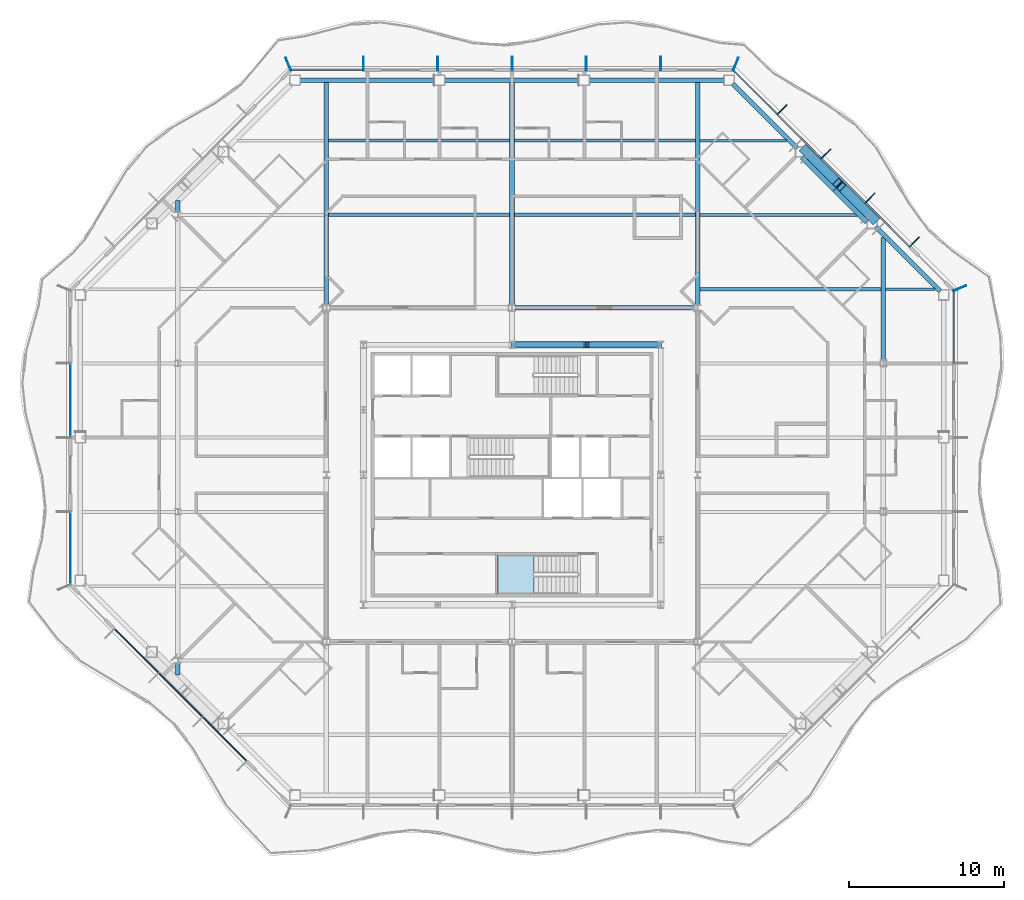
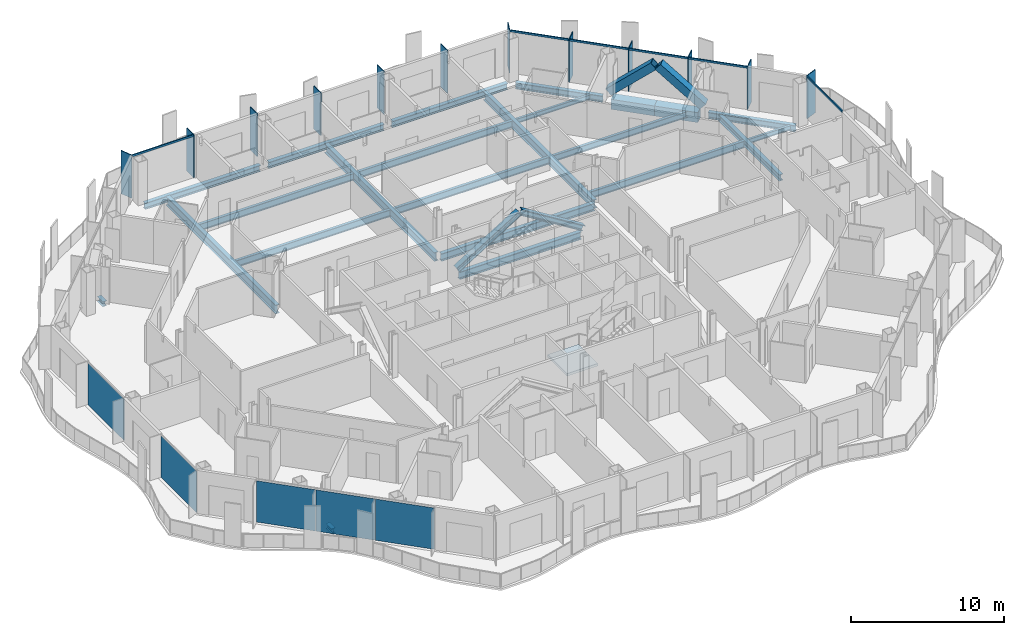
# One storey, part 5 of 21: 23 beams, 22 members, 5 plates, 1 slab, 7 elements without a shape of their own.
"""IFC4 building model written with IfcOpenShell, lengths in metres."""

from ifc_helpers import new_model, si_unit, direction, frame, origin, origin_2d, place, context, subcontext, project, spatial, polyline, rectangle, hollow_rectangle, i_section, outline, extrude, material, layer, layer_set, material_profile, profile_set, type_object, element, aggregate, save


model = new_model("IFC4")

# Units and contexts
model_context = context("Model", 3, precision=1e-05, world=origin(), true_north=direction((0.0, 1.0)))
body_context = subcontext(model_context, "Body", "Model", "MODEL_VIEW")
ifc_project = project(units=[si_unit("LENGTHUNIT", "METRE"), si_unit("AREAUNIT", "SQUARE_METRE"), si_unit("VOLUMEUNIT", "CUBIC_METRE"), si_unit("PLANEANGLEUNIT", "RADIAN"), si_unit("MASSUNIT", "GRAM", prefix="KILO")], contexts=[model_context])

# Site, building, storey
site_placement = place(None, origin())
site = spatial("IfcSite", under=ifc_project, at=site_placement, CompositionType="ELEMENT")
building_placement = place(site_placement, origin())
building = spatial("IfcBuilding", under=site, at=building_placement, Name="Cairn Pilgrim Tower", CompositionType="ELEMENT")
storey_placement = place(building_placement, frame((0.0, 0.0, 139.800048828125)))
storey = spatial("IfcBuildingStorey", under=building, at=storey_placement, Name="L34", CompositionType="ELEMENT", Elevation=139.800048828125)

# Members
ifc_material_1 = material(Name="Structural steel S460M", Category="steel")
ifc_material_profile_1 = material_profile(ifc_material_1, hollow_rectangle(XDim=0.60009765625, YDim=0.60009765625, WallThickness=0.034912109375, at=origin_2d()), Name="BOX 600x600x35")
ifc_profile_set_1 = profile_set([ifc_material_profile_1], Name="Structural steel S460M")
member_type_1 = type_object("IfcMemberType", Name="BOX 600x600x35 BRACE", PredefinedType="BRACE", material=ifc_profile_set_1)
member_1_placement = place(storey_placement, frame((30.613525390625, 18.888427734375, 0.14990234375), z_axis=(-0.53553019501, 0.53553019501, 0.653004456696), x_axis=(-0.707106781187, -0.707106781187, 0.0)))
element("IfcMember", 1, at=member_1_placement, inside=storey, type_object=member_type_1, Name="XB-NE2-NE3-1", PredefinedType="BRACE", context=body_context, shape_type="SweptSolid", body=[
    extrude(hollow_rectangle(XDim=0.60009765625, YDim=0.60009765625, WallThickness=0.034912109375, at=origin_2d()), origin(), (0.0, 0.0, 1.0), 4.035888671875),
])
member_2_placement = place(storey_placement, frame((26.08837890625, 23.41357421875, 0.14990234375), z_axis=(0.535573335815, -0.535512846393, 0.652983302476), x_axis=(0.707066846316, 0.707146713802, 0.0)))
element("IfcMember", 2, at=member_2_placement, inside=storey, type_object=member_type_1, Name="XB-NE2-NE3-2", PredefinedType="BRACE", context=body_context, shape_type="SweptSolid", body=[
    extrude(hollow_rectangle(XDim=0.60009765625, YDim=0.60009765625, WallThickness=0.034912109375, at=origin_2d()), origin(), (0.0, 0.0, 1.0), 4.0361328125),
])

# Beams
ifc_material_2 = material(Name="Structural steel S355J2", Category="steel")
ifc_material_profile_2 = material_profile(ifc_material_2, hollow_rectangle(XDim=0.699951171875, YDim=0.800048828125, WallThickness=0.0400390625, at=origin_2d()), Name="BOX 700x800x40")
ifc_profile_set_2 = profile_set([ifc_material_profile_2], Name="Structural steel S355J2")
beam_type_1 = type_object("IfcBeamType", Name="BOX 700x800x40 RING GIRDER", PredefinedType="SPANDREL", material=ifc_profile_set_2)
for number, where, z_axis, x_axis, name in (
    (3, (30.2529296875, 18.874267578125, -0.550048828125), (-0.707106781187, 0.707106781187, 0.0), (-0.707106781187, -0.707106781187, 0.0), "RG2-NE2-NE3-1"),
    (4, (28.16357421875, 20.963623046875, -0.550048828125), (-0.707106781187, 0.707106781187, 0.0), (-0.707106781187, -0.707106781187, 0.0), "RG2-NE2-NE3-2"),
):
    element("IfcBeam", number, at=place(storey_placement, frame(where, z_axis=z_axis, x_axis=x_axis)), inside=storey, type_object=beam_type_1, Name=name, PredefinedType="SPANDREL", context=body_context, shape_type="SweptSolid", body=[
        extrude(hollow_rectangle(XDim=0.699951171875, YDim=0.800048828125, WallThickness=0.0400390625, at=origin_2d()), origin(), (0.0, 0.0, 1.0), 2.954833984375),
    ])

# Curtain wall, members
ifc_material_3 = material(Name="Aluminium alloy 6063-T6 bronze anodised with Bronze tinted laminated low-E glass 8+16+8.8", Category="aluminium")
curtain_wall_type_1 = type_object("IfcCurtainWallType", Name="CHAMFER CORNER CURTAIN WALL", PredefinedType="NOTDEFINED", material=ifc_material_3)
curtain_wall_1_placement = place(storey_placement, origin())
curtain_wall_1 = element("IfcCurtainWall", 5, at=curtain_wall_1_placement, inside=storey, type_object=curtain_wall_type_1, Name="Chamfer Corner Curtain Wall NE", PredefinedType="NOTDEFINED")
ifc_material_4 = material(Name="Aluminium alloy 6063-T6 bronze anodised", Category="aluminium")
ifc_material_profile_3 = material_profile(ifc_material_4, rectangle(XDim=0.89990234375, YDim=0.06005859375, at=origin_2d()), Name="FIN MULLION 60x900 BRONZE")
ifc_profile_set_3 = profile_set([ifc_material_profile_3], Name="Aluminium alloy 6063-T6 bronze anodised")
member_type_2 = type_object("IfcMemberType", Name="FIN MULLION 60x900 BRONZE", PredefinedType="MULLION", material=ifc_profile_set_3)
member_3_placement = place(storey_placement, frame((36.137939453125, 14.457275390625, 0.0), z_axis=(0.0, 0.0, 1.0), x_axis=(0.923879532511, 0.382683432365, 0.0)))
member_3 = element("IfcMember", 6, at=member_3_placement, type_object=member_type_2, Name="Fin mullion NE1", PredefinedType="MULLION", context=body_context, shape_type="SweptSolid", body=[
    extrude(rectangle(XDim=0.89990234375, YDim=0.06005859375, at=origin_2d()), origin(), (0.0, 0.0, 1.0), 3.449951171875),
])
member_4_placement = place(storey_placement, frame((33.1962890625, 17.444091796875, 0.0), z_axis=(0.0, 0.0, 1.0), x_axis=(0.707106781187, 0.707106781187, 0.0)))
member_4 = element("IfcMember", 7, at=member_4_placement, type_object=member_type_2, Name="Fin mullion NE2", PredefinedType="MULLION", context=body_context, shape_type="SweptSolid", body=[
    extrude(rectangle(XDim=0.89990234375, YDim=0.06005859375, at=origin_2d()), origin(), (0.0, 0.0, 1.0), 3.449951171875),
])
member_5_placement = place(storey_placement, frame((30.345458984375, 20.294921875, 0.0), z_axis=(0.0, 0.0, 1.0), x_axis=(0.707106781187, 0.707106781187, 0.0)))
member_5 = element("IfcMember", 8, at=member_5_placement, type_object=member_type_2, Name="Fin mullion NE3", PredefinedType="MULLION", context=body_context, shape_type="SweptSolid", body=[
    extrude(rectangle(XDim=0.89990234375, YDim=0.06005859375, at=origin_2d()), origin(), (0.0, 0.0, 1.0), 3.449951171875),
])
member_6_placement = place(storey_placement, frame((27.494873046875, 23.1455078125, 0.0), z_axis=(0.0, 0.0, 1.0), x_axis=(0.707106781187, 0.707106781187, 0.0)))
member_6 = element("IfcMember", 9, at=member_6_placement, type_object=member_type_2, Name="Fin mullion NE4", PredefinedType="MULLION", context=body_context, shape_type="SweptSolid", body=[
    extrude(rectangle(XDim=0.89990234375, YDim=0.06005859375, at=origin_2d()), origin(), (0.0, 0.0, 1.0), 3.449951171875),
])
member_7_placement = place(storey_placement, frame((24.64404296875, 25.996337890625, 0.0), z_axis=(0.0, 0.0, 1.0), x_axis=(0.707106781187, 0.707106781187, 0.0)))
member_7 = element("IfcMember", 10, at=member_7_placement, type_object=member_type_2, Name="Fin mullion NE5", PredefinedType="MULLION", context=body_context, shape_type="SweptSolid", body=[
    extrude(rectangle(XDim=0.89990234375, YDim=0.06005859375, at=origin_2d()), origin(), (0.0, 0.0, 1.0), 3.449951171875),
])

curtain_wall_type_2 = type_object("IfcCurtainWallType", Name="TOWER STICK CURTAIN WALL NS", PredefinedType="NOTDEFINED", material=ifc_material_3)
curtain_wall_2_placement = place(storey_placement, origin())
curtain_wall_2 = element("IfcCurtainWall", 11, at=curtain_wall_2_placement, inside=storey, type_object=curtain_wall_type_2, Name="Tower Stick Curtain Wall Ns N", PredefinedType="NOTDEFINED")
member_8_placement = place(storey_placement, frame((21.6572265625, 28.93798828125, 0.0), z_axis=(0.0, 0.0, 1.0), x_axis=(0.382683432365, 0.923879532511, 0.0)))
member_8 = element("IfcMember", 12, at=member_8_placement, type_object=member_type_2, Name="Fin mullion N1", PredefinedType="MULLION", context=body_context, shape_type="SweptSolid", body=[
    extrude(rectangle(XDim=0.89990234375, YDim=0.06005859375, at=origin_2d()), origin(), (0.0, 0.0, 1.0), 3.449951171875),
])
member_9_placement = place(storey_placement, frame((16.800048828125, 28.969970703125, 0.0), z_axis=(0.0, 0.0, 1.0), x_axis=(0.0, 1.0, 0.0)))
member_9 = element("IfcMember", 13, at=member_9_placement, type_object=member_type_2, Name="Fin mullion N2", PredefinedType="MULLION", context=body_context, shape_type="SweptSolid", body=[
    extrude(rectangle(XDim=0.89990234375, YDim=0.06005859375, at=origin_2d()), origin(), (0.0, 0.0, 1.0), 3.449951171875),
])
member_10_placement = place(storey_placement, frame((12.0, 28.969970703125, 0.0), z_axis=(0.0, 0.0, 1.0), x_axis=(0.0, 1.0, 0.0)))
member_10 = element("IfcMember", 14, at=member_10_placement, type_object=member_type_2, Name="Fin mullion N3", PredefinedType="MULLION", context=body_context, shape_type="SweptSolid", body=[
    extrude(rectangle(XDim=0.89990234375, YDim=0.06005859375, at=origin_2d()), origin(), (0.0, 0.0, 1.0), 3.449951171875),
])
member_11_placement = place(storey_placement, frame((7.199951171875, 28.969970703125, 0.0), z_axis=(0.0, 0.0, 1.0), x_axis=(0.0, 1.0, 0.0)))
member_11 = element("IfcMember", 15, at=member_11_placement, type_object=member_type_2, Name="Fin mullion N4", PredefinedType="MULLION", context=body_context, shape_type="SweptSolid", body=[
    extrude(rectangle(XDim=0.89990234375, YDim=0.06005859375, at=origin_2d()), origin(), (0.0, 0.0, 1.0), 3.449951171875),
])
member_12_placement = place(storey_placement, frame((2.39990234375, 28.969970703125, 0.0), z_axis=(0.0, 0.0, 1.0), x_axis=(0.0, 1.0, 0.0)))
member_12 = element("IfcMember", 16, at=member_12_placement, type_object=member_type_2, Name="Fin mullion N5", PredefinedType="MULLION", context=body_context, shape_type="SweptSolid", body=[
    extrude(rectangle(XDim=0.89990234375, YDim=0.06005859375, at=origin_2d()), origin(), (0.0, 0.0, 1.0), 3.449951171875),
])
member_13_placement = place(storey_placement, frame((-2.39990234375, 28.969970703125, 0.0), z_axis=(0.0, 0.0, 1.0), x_axis=(0.0, 1.0, 0.0)))
member_13 = element("IfcMember", 17, at=member_13_placement, type_object=member_type_2, Name="Fin mullion N6", PredefinedType="MULLION", context=body_context, shape_type="SweptSolid", body=[
    extrude(rectangle(XDim=0.89990234375, YDim=0.06005859375, at=origin_2d()), origin(), (0.0, 0.0, 1.0), 3.449951171875),
])

# Curtain wall, member
curtain_wall_3_placement = place(storey_placement, origin())
curtain_wall_3 = element("IfcCurtainWall", 18, at=curtain_wall_3_placement, inside=storey, type_object=curtain_wall_type_1, Name="Chamfer Corner Curtain Wall NW", PredefinedType="NOTDEFINED")
member_14_placement = place(storey_placement, frame((-7.257080078125, 28.93798828125, 0.0), z_axis=(0.0, 0.0, 1.0), x_axis=(-0.382683432365, 0.923879532511, 0.0)))
member_14 = element("IfcMember", 19, at=member_14_placement, type_object=member_type_2, Name="Fin mullion NW1", PredefinedType="MULLION", context=body_context, shape_type="SweptSolid", body=[
    extrude(rectangle(XDim=0.89990234375, YDim=0.06005859375, at=origin_2d()), origin(), (0.0, 0.0, 1.0), 3.449951171875),
])
aggregate(curtain_wall_3, [member_14])

# Members
ifc_material_profile_4 = material_profile(ifc_material_1, i_section(OverallWidth=0.408935546875, OverallDepth=0.425048828125, WebThickness=0.03271484375, FlangeThickness=0.052490234375, FilletRadius=0.014892578125, at=origin_2d()), Name="HD 400x421")
ifc_profile_set_4 = profile_set([ifc_material_profile_4], Name="Structural steel S460M")
member_type_3 = type_object("IfcMemberType", Name="HD 400x421 BRACE", PredefinedType="BRACE", material=ifc_profile_set_4)
for number, where, z_axis, x_axis, name in (
    (20, (16.757568359375, 10.800048828125, 0.099853515625), (-0.851063308605, 0.0, 0.525063086444), (0.0, -1.0, 0.0), "KB-3A"),
    (21, (7.242431640625, 10.800048828125, 0.099853515625), (0.851063308605, 0.0, 0.525063086444), (0.0, 1.0, 0.0), "KB-3B"),
):
    element("IfcMember", number, at=place(storey_placement, frame(where, z_axis=z_axis, x_axis=x_axis)), inside=storey, type_object=member_type_3, Name=name, PredefinedType="BRACE", context=body_context, shape_type="SweptSolid", body=[
        extrude(i_section(OverallWidth=0.408935546875, OverallDepth=0.425048828125, WebThickness=0.03271484375, FlangeThickness=0.052490234375, FilletRadius=0.014892578125, at=origin_2d()), origin(), (0.0, 0.0, 1.0), 5.527587890625),
    ])

# Beams
ifc_material_profile_5 = material_profile(ifc_material_2, i_section(OverallWidth=0.300048828125, OverallDepth=0.39990234375, WebThickness=0.013427734375, FlangeThickness=0.02392578125, FilletRadius=0.027099609375, at=origin_2d()), Name="HEB 400")
ifc_profile_set_5 = profile_set([ifc_material_profile_5], Name="Structural steel S355J2")
beam_type_2 = type_object("IfcBeamType", Name="HEB 400 GIRDER", PredefinedType="BEAM", material=ifc_profile_set_5)
for number, where, z_axis, x_axis, name in (
    (22, (-14.39990234375, -10.545166015625, -0.35009765625), (0.0, 1.0, 0.0), (-1.0, 0.0, 0.0), "PG1-E1"),
    (23, (-14.39990234375, 19.3994140625, -0.35009765625), (0.0, 1.0, 0.0), (-1.0, 0.0, 0.0), "PG1-E2"),
):
    element("IfcBeam", number, at=place(storey_placement, frame(where, z_axis=z_axis, x_axis=x_axis)), inside=storey, type_object=beam_type_2, Name=name, PredefinedType="BEAM", context=body_context, shape_type="SweptSolid", body=[
        extrude(i_section(OverallWidth=0.300048828125, OverallDepth=0.39990234375, WebThickness=0.013427734375, FlangeThickness=0.02392578125, FilletRadius=0.027099609375, at=origin_2d()), origin(), (0.0, 0.0, 1.0), 0.74560546875),
    ])
ifc_material_profile_6 = material_profile(ifc_material_2, i_section(OverallWidth=0.300048828125, OverallDepth=0.5, WebThickness=0.014404296875, FlangeThickness=0.028076171875, FilletRadius=0.027099609375, at=origin_2d()), Name="HEB 500")
ifc_profile_set_6 = profile_set([ifc_material_profile_6], Name="Structural steel S355J2")
beam_type_3 = type_object("IfcBeamType", Name="HEB 500 GIRDER", PredefinedType="BEAM", material=ifc_profile_set_6)
beam_1_placement = place(storey_placement, frame((31.199951171875, 9.804443359375, -0.400146484375), z_axis=(0.0, 1.0, 0.0), x_axis=(-1.0, 0.0, 0.0)))
element("IfcBeam", 24, at=beam_1_placement, inside=storey, type_object=beam_type_3, Name="PG5-3", PredefinedType="BEAM", context=body_context, shape_type="SweptSolid", body=[
    extrude(i_section(OverallWidth=0.300048828125, OverallDepth=0.5, WebThickness=0.014404296875, FlangeThickness=0.028076171875, FilletRadius=0.027099609375, at=origin_2d()), origin(), (0.0, 0.0, 1.0), 7.940673828125),
])
ifc_material_profile_7 = material_profile(ifc_material_2, i_section(OverallWidth=0.300048828125, OverallDepth=0.5, WebThickness=0.014404296875, FlangeThickness=0.028076171875, FilletRadius=0.027099609375, at=origin_2d()), Name="HEB 500")
ifc_profile_set_7 = profile_set([ifc_material_profile_7], Name="Structural steel S355J2")
beam_type_4 = type_object("IfcBeamType", Name="HEB 500 RING GIRDER", PredefinedType="SPANDREL", material=ifc_profile_set_7)
for number, where, z_axis, x_axis, name in (
    (25, (34.877197265625, 14.25, -0.400146484375), (-0.707106781187, 0.707106781187, 0.0), (-0.707106781187, -0.707106781187, 0.0), "RG2-NE1-NE2"),
    (26, (25.628662109375, 23.49853515625, -0.400146484375), (-0.707106781187, 0.707106781187, 0.0), (-0.707106781187, -0.707106781187, 0.0), "RG2-NE3-N1"),
):
    element("IfcBeam", number, at=place(storey_placement, frame(where, z_axis=z_axis, x_axis=x_axis)), inside=storey, type_object=beam_type_4, Name=name, PredefinedType="SPANDREL", context=body_context, shape_type="SweptSolid", body=[
        extrude(i_section(OverallWidth=0.300048828125, OverallDepth=0.5, WebThickness=0.014404296875, FlangeThickness=0.028076171875, FilletRadius=0.027099609375, at=origin_2d()), origin(), (0.0, 0.0, 1.0), 5.90966796875),
    ])
for number, where, z_axis, x_axis, name in (
    (27, (20.912109375, 27.89990234375, -0.400146484375), (-1.0, 0.0, 0.0), (0.0, -1.0, 0.0), "RG2-N1-N2"),
    (28, (11.560791015625, 27.89990234375, -0.400146484375), (-1.0, 0.0, 0.0), (0.0, -1.0, 0.0), "RG2-N2-N3"),
    (29, (2.209228515625, 27.89990234375, -0.400146484375), (-1.0, 0.0, 0.0), (0.0, -1.0, 0.0), "RG2-N3-NW1"),
):
    element("IfcBeam", number, at=place(storey_placement, frame(where, z_axis=z_axis, x_axis=x_axis)), inside=storey, type_object=beam_type_4, Name=name, PredefinedType="SPANDREL", context=body_context, shape_type="SweptSolid", body=[
        extrude(i_section(OverallWidth=0.300048828125, OverallDepth=0.5, WebThickness=0.014404296875, FlangeThickness=0.028076171875, FilletRadius=0.027099609375, at=origin_2d()), origin(), (0.0, 0.0, 1.0), 8.721435546875),
    ])
ifc_material_profile_8 = material_profile(ifc_material_2, i_section(OverallWidth=0.300048828125, OverallDepth=0.60009765625, WebThickness=0.015380859375, FlangeThickness=0.030029296875, FilletRadius=0.027099609375, at=origin_2d()), Name="HEB 600")
ifc_profile_set_8 = profile_set([ifc_material_profile_8], Name="Structural steel S355J2")
beam_type_5 = type_object("IfcBeamType", Name="HEB 600 CORE BEAM", PredefinedType="BEAM", material=ifc_profile_set_8)
beam_2_placement = place(storey_placement, frame((16.609130859375, 10.800048828125, -0.449951171875), z_axis=(-1.0, 0.0, 0.0), x_axis=(0.0, -1.0, 0.0)))
element("IfcBeam", 30, at=beam_2_placement, inside=storey, type_object=beam_type_5, Name="CB-5", PredefinedType="BEAM", context=body_context, shape_type="SweptSolid", body=[
    extrude(i_section(OverallWidth=0.300048828125, OverallDepth=0.60009765625, WebThickness=0.015380859375, FlangeThickness=0.030029296875, FilletRadius=0.027099609375, at=origin_2d()), origin(), (0.0, 0.0, 1.0), 9.21826171875),
])
ifc_material_profile_9 = material_profile(ifc_material_2, i_section(OverallWidth=0.300048828125, OverallDepth=0.60009765625, WebThickness=0.015380859375, FlangeThickness=0.030029296875, FilletRadius=0.027099609375, at=origin_2d()), Name="HEB 600")
ifc_profile_set_9 = profile_set([ifc_material_profile_9], Name="Structural steel S355J2")
beam_type_6 = type_object("IfcBeamType", Name="HEB 600 INNER GIRDER", PredefinedType="BEAM", material=ifc_profile_set_9)
beam_3_placement = place(storey_placement, frame((7.404541015625, 13.199951171875, -0.449951171875), z_axis=(1.0, 0.0, 0.0), x_axis=(0.0, 1.0, 0.0)))
element("IfcBeam", 31, at=beam_3_placement, inside=storey, type_object=beam_type_6, Name="IG2-2", PredefinedType="BEAM", context=body_context, shape_type="SweptSolid", body=[
    extrude(i_section(OverallWidth=0.300048828125, OverallDepth=0.60009765625, WebThickness=0.015380859375, FlangeThickness=0.030029296875, FilletRadius=0.027099609375, at=origin_2d()), origin(), (0.0, 0.0, 1.0), 11.591064453125),
])
ifc_material_profile_10 = material_profile(ifc_material_2, i_section(OverallWidth=0.300048828125, OverallDepth=0.699951171875, WebThickness=0.01708984375, FlangeThickness=0.031982421875, FilletRadius=0.027099609375, at=origin_2d()), Name="HEB 700")
ifc_profile_set_10 = profile_set([ifc_material_profile_10], Name="Structural steel S355J2")
beam_type_7 = type_object("IfcBeamType", Name="HEB 700 GIRDER", PredefinedType="BEAM", material=ifc_profile_set_10)
for number, where, z_axis, x_axis, name in (
    (32, (-4.800048828125, 13.404541015625, -0.5), (0.0, 1.0, 0.0), (-1.0, 0.0, 0.0), "PG2-4"),
    (33, (7.199951171875, 13.404541015625, -0.5), (0.0, 1.0, 0.0), (-1.0, 0.0, 0.0), "PG3-2"),
    (34, (19.199951171875, 13.404541015625, -0.5), (0.0, 1.0, 0.0), (-1.0, 0.0, 0.0), "PG4-4"),
):
    element("IfcBeam", number, at=place(storey_placement, frame(where, z_axis=z_axis, x_axis=x_axis)), inside=storey, type_object=beam_type_7, Name=name, PredefinedType="BEAM", context=body_context, shape_type="SweptSolid", body=[
        extrude(i_section(OverallWidth=0.300048828125, OverallDepth=0.699951171875, WebThickness=0.01708984375, FlangeThickness=0.031982421875, FilletRadius=0.027099609375, at=origin_2d()), origin(), (0.0, 0.0, 1.0), 14.37548828125),
    ])
ifc_material_profile_11 = material_profile(ifc_material_2, i_section(OverallWidth=0.169921875, OverallDepth=0.360107421875, WebThickness=0.008056640625, FlangeThickness=0.0126953125, FilletRadius=0.01806640625, at=origin_2d()), Name="IPE 360")
ifc_profile_set_11 = profile_set([ifc_material_profile_11], Name="Structural steel S355J2")
beam_type_8 = type_object("IfcBeamType", Name="IPE 360 SECONDARY BEAM", PredefinedType="JOIST", material=ifc_profile_set_11)
beam_4_placement = place(storey_placement, frame((31.35009765625, 14.39990234375, -0.330078125), z_axis=(1.0, 0.0, 0.0), x_axis=(0.0, 1.0, 0.0)))
element("IfcBeam", 35, at=beam_4_placement, inside=storey, type_object=beam_type_8, Name="SB7-4", PredefinedType="JOIST", context=body_context, shape_type="SweptSolid", body=[
    extrude(i_section(OverallWidth=0.169921875, OverallDepth=0.360107421875, WebThickness=0.008056640625, FlangeThickness=0.0126953125, FilletRadius=0.01806640625, at=origin_2d()), origin(), (0.0, 0.0, 1.0), 3.195068359375),
])
beam_5_placement = place(storey_placement, frame((19.35009765625, 24.0, -0.330078125), z_axis=(1.0, 0.0, 0.0), x_axis=(0.0, 1.0, 0.0)))
element("IfcBeam", 36, at=beam_5_placement, inside=storey, type_object=beam_type_8, Name="SB9-4", PredefinedType="JOIST", context=body_context, shape_type="SweptSolid", body=[
    extrude(i_section(OverallWidth=0.169921875, OverallDepth=0.360107421875, WebThickness=0.008056640625, FlangeThickness=0.0126953125, FilletRadius=0.01806640625, at=origin_2d()), origin(), (0.0, 0.0, 1.0), 5.594970703125),
])
ifc_material_profile_12 = material_profile(ifc_material_2, i_section(OverallWidth=0.199951171875, OverallDepth=0.5, WebThickness=0.01025390625, FlangeThickness=0.01611328125, FilletRadius=0.02099609375, at=origin_2d()), Name="IPE 500")
ifc_profile_set_12 = profile_set([ifc_material_profile_12], Name="Structural steel S355J2")
beam_type_9 = type_object("IfcBeamType", Name="IPE 500 SECONDARY BEAM", PredefinedType="JOIST", material=ifc_profile_set_12)
beam_6_placement = place(storey_placement, frame((19.35009765625, 19.199951171875, -0.400146484375), z_axis=(1.0, 0.0, 0.0), x_axis=(0.0, 1.0, 0.0)))
element("IfcBeam", 37, at=beam_6_placement, inside=storey, type_object=beam_type_9, Name="SB8-4", PredefinedType="JOIST", context=body_context, shape_type="SweptSolid", body=[
    extrude(i_section(OverallWidth=0.199951171875, OverallDepth=0.5, WebThickness=0.01025390625, FlangeThickness=0.01611328125, FilletRadius=0.02099609375, at=origin_2d()), origin(), (0.0, 0.0, 1.0), 10.39501953125),
])
ifc_material_profile_13 = material_profile(ifc_material_2, i_section(OverallWidth=0.2099609375, OverallDepth=0.550048828125, WebThickness=0.010986328125, FlangeThickness=0.01708984375, FilletRadius=0.02392578125, at=origin_2d()), Name="IPE 550")
ifc_profile_set_13 = profile_set([ifc_material_profile_13], Name="Structural steel S355J2")
beam_type_10 = type_object("IfcBeamType", Name="IPE 550 SECONDARY BEAM", PredefinedType="JOIST", material=ifc_profile_set_13)
for number, where, z_axis, x_axis, name in (
    (38, (19.35009765625, 14.39990234375, -0.425048828125), (1.0, 0.0, 0.0), (0.0, 1.0, 0.0), "SB7-3"),
    (39, (-4.64990234375, 19.199951171875, -0.425048828125), (1.0, 0.0, 0.0), (0.0, 1.0, 0.0), "SB8-2"),
    (40, (7.35009765625, 19.199951171875, -0.425048828125), (1.0, 0.0, 0.0), (0.0, 1.0, 0.0), "SB8-3"),
    (41, (-4.64990234375, 24.0, -0.425048828125), (1.0, 0.0, 0.0), (0.0, 1.0, 0.0), "SB9-2"),
    (42, (7.35009765625, 24.0, -0.425048828125), (1.0, 0.0, 0.0), (0.0, 1.0, 0.0), "SB9-3"),
):
    element("IfcBeam", number, at=place(storey_placement, frame(where, z_axis=z_axis, x_axis=x_axis)), inside=storey, type_object=beam_type_10, Name=name, PredefinedType="JOIST", context=body_context, shape_type="SweptSolid", body=[
        extrude(i_section(OverallWidth=0.2099609375, OverallDepth=0.550048828125, WebThickness=0.010986328125, FlangeThickness=0.01708984375, FilletRadius=0.02392578125, at=origin_2d()), origin(), (0.0, 0.0, 1.0), 11.699951171875),
    ])

# Curtain wall, member
curtain_wall_type_3 = type_object("IfcCurtainWallType", Name="TOWER STICK CURTAIN WALL EW", PredefinedType="NOTDEFINED", material=ifc_material_3)
curtain_wall_4_placement = place(storey_placement, origin())
curtain_wall_4 = element("IfcCurtainWall", 43, at=curtain_wall_4_placement, inside=storey, type_object=curtain_wall_type_3, Name="Tower Stick Curtain Wall Ew E", PredefinedType="NOTDEFINED")
ifc_material_profile_14 = material_profile(ifc_material_4, rectangle(XDim=0.080078125, YDim=0.14990234375, at=origin_2d()), Name="TRANSOM 80x150 BRONZE")
ifc_profile_set_14 = profile_set([ifc_material_profile_14], Name="Aluminium alloy 6063-T6 bronze anodised")
member_type_4 = type_object("IfcMemberType", Name="TRANSOM 80x150 BRONZE", PredefinedType="USERDEFINED", material=ifc_profile_set_14)
member_15_placement = place(storey_placement, frame((35.75, 9.6298828125, 3.375), z_axis=(0.0, 1.0, 0.0), x_axis=(-1.0, 0.0, 0.0)))
member_15 = element("IfcMember", 44, at=member_15_placement, type_object=member_type_4, Name="Transom E4", ObjectType="TRANSOM", PredefinedType="USERDEFINED", context=body_context, shape_type="SweptSolid", body=[
    extrude(rectangle(XDim=0.080078125, YDim=0.14990234375, at=origin_2d()), origin(), (0.0, 0.0, 1.0), 4.62646484375),
])
aggregate(curtain_wall_4, [member_15])

# Member
member_16_placement = place(storey_placement, frame((32.878173828125, 17.16845703125, 3.375), z_axis=(-0.70713751761, 0.707076043427, 0.0), x_axis=(-0.707076043427, -0.70713751761, 0.0)))
member_16 = element("IfcMember", 45, at=member_16_placement, type_object=member_type_4, Name="Transom NE2", ObjectType="TRANSOM", PredefinedType="USERDEFINED", context=body_context, shape_type="SweptSolid", body=[
    extrude(rectangle(XDim=0.080078125, YDim=0.14990234375, at=origin_2d()), origin(), (0.0, 0.0, 1.0), 3.971435546875),
])

member_17_placement = place(storey_placement, frame((30.02734375, 20.01904296875, 3.375), z_axis=(-0.707106781187, 0.707106781187, 0.0), x_axis=(-0.707106781187, -0.707106781187, 0.0)))
member_17 = element("IfcMember", 46, at=member_17_placement, type_object=member_type_4, Name="Transom NE3", ObjectType="TRANSOM", PredefinedType="USERDEFINED", context=body_context, shape_type="SweptSolid", body=[
    extrude(rectangle(XDim=0.080078125, YDim=0.14990234375, at=origin_2d()), origin(), (0.0, 0.0, 1.0), 3.9716796875),
])

member_18_placement = place(storey_placement, frame((27.1767578125, 22.869873046875, 3.375), z_axis=(-0.70713751761, 0.707076043427, 0.0), x_axis=(-0.707076043427, -0.70713751761, 0.0)))
member_18 = element("IfcMember", 47, at=member_18_placement, type_object=member_type_4, Name="Transom NE4", ObjectType="TRANSOM", PredefinedType="USERDEFINED", context=body_context, shape_type="SweptSolid", body=[
    extrude(rectangle(XDim=0.080078125, YDim=0.14990234375, at=origin_2d()), origin(), (0.0, 0.0, 1.0), 3.971435546875),
])

member_19_placement = place(storey_placement, frame((24.325927734375, 25.720458984375, 3.375), z_axis=(-0.707106781187, 0.707106781187, 0.0), x_axis=(-0.707106781187, -0.707106781187, 0.0)))
member_19 = element("IfcMember", 48, at=member_19_placement, type_object=member_type_4, Name="Transom NE5", ObjectType="TRANSOM", PredefinedType="USERDEFINED", context=body_context, shape_type="SweptSolid", body=[
    extrude(rectangle(XDim=0.080078125, YDim=0.14990234375, at=origin_2d()), origin(), (0.0, 0.0, 1.0), 3.961669921875),
])

aggregate(curtain_wall_1, [member_3, member_4, member_5, member_6, member_7, member_16, member_17, member_18, member_19])

member_20_placement = place(storey_placement, frame((-2.429931640625, 28.550048828125, 3.375), z_axis=(-1.0, 0.0, 0.0), x_axis=(0.0, -1.0, 0.0)))
member_20 = element("IfcMember", 49, at=member_20_placement, type_object=member_type_4, Name="Transom N6", ObjectType="TRANSOM", PredefinedType="USERDEFINED", context=body_context, shape_type="SweptSolid", body=[
    extrude(rectangle(XDim=0.080078125, YDim=0.14990234375, at=origin_2d()), origin(), (0.0, 0.0, 1.0), 4.62646484375),
])

aggregate(curtain_wall_2, [member_8, member_9, member_10, member_11, member_12, member_13, member_20])

# Curtain wall, plates
curtain_wall_5_placement = place(storey_placement, origin())
curtain_wall_5 = element("IfcCurtainWall", 50, at=curtain_wall_5_placement, inside=storey, type_object=curtain_wall_type_1, Name="Chamfer Corner Curtain Wall SW", PredefinedType="NOTDEFINED")
ifc_material_5 = material(Name="Bronze anodised aluminium spandrel panel with mineral wool insulation", Category="aluminium")
ifc_layer_1 = layer(ifc_material_5, 0.06005859375)
ifc_layer_set_1 = layer_set([ifc_layer_1], Name="SPANDREL PANEL 3972x3300")
plate_type_1 = type_object("IfcPlateType", Name="SPANDREL PANEL 3972x3300", PredefinedType="CURTAIN_PANEL", material=ifc_layer_set_1)
plate_1_placement = place(storey_placement, frame((-17.073974609375, -8.972412109375, 0.0), z_axis=(0.0, 0.0, 1.0), x_axis=(0.707106781187, -0.707106781187, 0.0)))
plate_1 = element("IfcPlate", 51, at=plate_1_placement, type_object=plate_type_1, Name="Spandrel Panel SW2-1", PredefinedType="CURTAIN_PANEL", context=body_context, shape_type="SweptSolid", body=[
    extrude(rectangle(XDim=3.971435546875, YDim=0.06005859375, at=origin_2d()), origin(), (0.0, 0.0, 1.0), 3.300048828125),
])
plate_2_placement = place(storey_placement, frame((-14.22314453125, -11.8232421875, 0.0), z_axis=(0.0, 0.0, 1.0), x_axis=(0.707106781187, -0.707106781187, 0.0)))
plate_2 = element("IfcPlate", 52, at=plate_2_placement, type_object=plate_type_1, Name="Spandrel Panel SW3-1", PredefinedType="CURTAIN_PANEL", context=body_context, shape_type="SweptSolid", body=[
    extrude(rectangle(XDim=3.971435546875, YDim=0.06005859375, at=origin_2d()), origin(), (0.0, 0.0, 1.0), 3.300048828125),
])
plate_3_placement = place(storey_placement, frame((-11.37255859375, -14.673828125, 0.0), z_axis=(0.0, 0.0, 1.0), x_axis=(0.707106781187, -0.707106781187, 0.0)))
plate_3 = element("IfcPlate", 53, at=plate_3_placement, type_object=plate_type_1, Name="Spandrel Panel SW4-1", PredefinedType="CURTAIN_PANEL", context=body_context, shape_type="SweptSolid", body=[
    extrude(rectangle(XDim=3.971435546875, YDim=0.06005859375, at=origin_2d()), origin(), (0.0, 0.0, 1.0), 3.300048828125),
])
aggregate(curtain_wall_5, [plate_1, plate_2, plate_3])

# Stair, slab
ifc_material_6 = material(Name="Concrete C32/40", Category="concrete")
stair_type = type_object("IfcStairType", Name="EXIT STAIR 1200", PredefinedType="HALF_TURN_STAIR", material=ifc_material_6)
stair_placement = place(storey_placement, origin())
stair = element("IfcStair", 54, at=stair_placement, inside=storey, type_object=stair_type, Name="L34 Exit Stair A", PredefinedType="HALF_TURN_STAIR")
ifc_layer_2 = layer(ifc_material_6, 0.199951171875)
ifc_layer_set_2 = layer_set([ifc_layer_2], Name="STAIR LANDING 200")
slab_type = type_object("IfcSlabType", Name="STAIR LANDING 200", PredefinedType="LANDING", material=ifc_layer_set_2)
slab_placement = place(storey_placement, frame((0.0, 0.0, 1.599853515625)))
slab = element("IfcSlab", 55, at=slab_placement, type_object=slab_type, Name="ST-A landing 1", PredefinedType="LANDING", context=body_context, shape_type="SweptSolid", body=[
    extrude(outline(polyline([(8.625, -2.77490234375), (6.27490234375, -2.77490234375), (6.27490234375, -5.300048828125), (8.625, -5.300048828125), (8.625, -2.77490234375)])), origin(), (0.0, 0.0, 1.0), 0.2001953125),
])
aggregate(stair, [slab])

# Curtain wall, plates
curtain_wall_6_placement = place(storey_placement, origin())
curtain_wall_6 = element("IfcCurtainWall", 56, at=curtain_wall_6_placement, inside=storey, type_object=curtain_wall_type_3, Name="Tower Stick Curtain Wall Ew W", PredefinedType="NOTDEFINED")
ifc_material_7 = material(Name="Bronze tinted laminated low-E glass 8+16+8.8", Category="glass")
ifc_layer_3 = layer(ifc_material_7, 0.033935546875)
ifc_layer_set_3 = layer_set([ifc_layer_3], Name="VISION GLAZING 4626x3300")
plate_type_2 = type_object("IfcPlateType", Name="VISION GLAZING 4626x3300", PredefinedType="CURTAIN_PANEL", material=ifc_layer_set_3)
plate_4_placement = place(storey_placement, frame((-21.35009765625, -2.34326171875, 0.0), z_axis=(0.0, 0.0, 1.0), x_axis=(0.0, -1.0, 0.0)))
plate_4 = element("IfcPlate", 57, at=plate_4_placement, type_object=plate_type_2, Name="Vision Glazing W4-1", PredefinedType="CURTAIN_PANEL", context=body_context, shape_type="SweptSolid", body=[
    extrude(rectangle(XDim=4.62646484375, YDim=0.033935546875, at=origin_2d()), origin(), (0.0, 0.0, 1.0), 3.300048828125),
])
ifc_layer_4 = layer(ifc_material_7, 0.033935546875)
ifc_layer_set_4 = layer_set([ifc_layer_4], Name="VISION GLAZING 4740x3300")
plate_type_3 = type_object("IfcPlateType", Name="VISION GLAZING 4740x3300", PredefinedType="CURTAIN_PANEL", material=ifc_layer_set_4)
plate_5_placement = place(storey_placement, frame((-21.35009765625, 7.199951171875, 0.0), z_axis=(0.0, 0.0, 1.0), x_axis=(0.0, -1.0, 0.0)))
plate_5 = element("IfcPlate", 58, at=plate_5_placement, type_object=plate_type_3, Name="Vision Glazing W2-1", PredefinedType="CURTAIN_PANEL", context=body_context, shape_type="SweptSolid", body=[
    extrude(rectangle(XDim=4.739990234375, YDim=0.033935546875, at=origin_2d()), origin(), (0.0, 0.0, 1.0), 3.300048828125),
])
aggregate(curtain_wall_6, [plate_5, plate_4])

save(model, "model.ifc")
